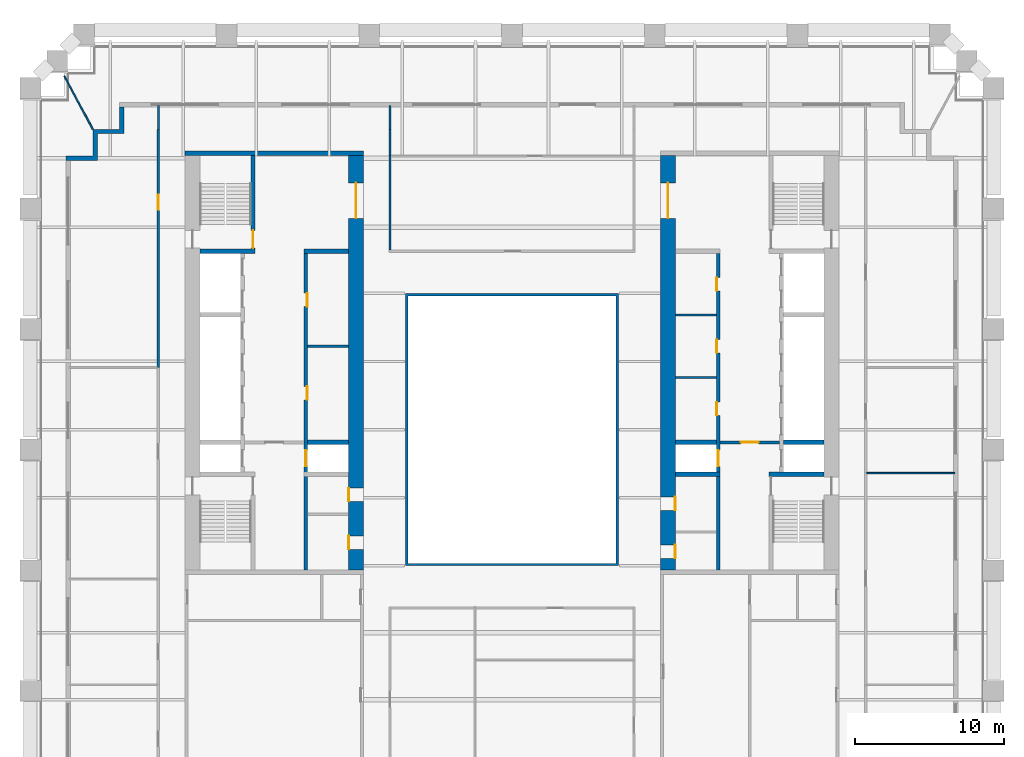
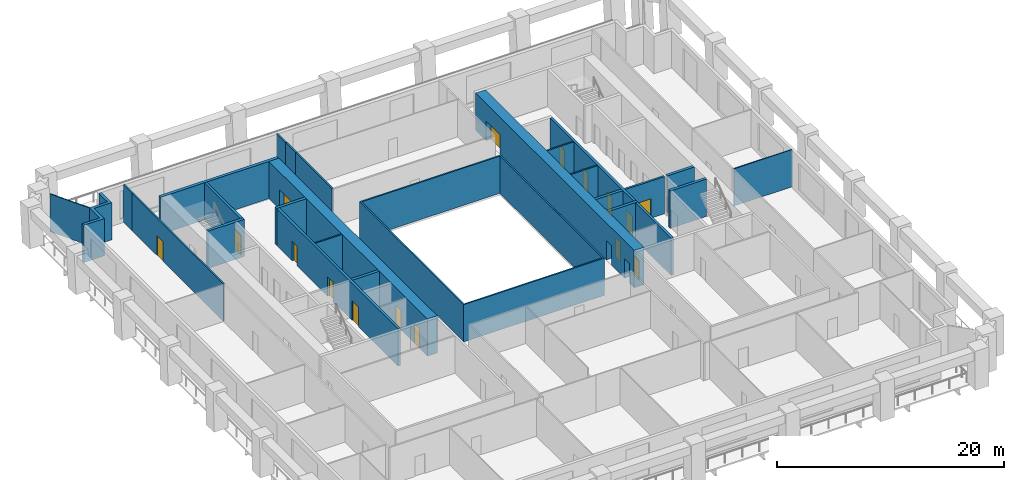
# One storey, part 6 of 9: 26 walls, 16 doors, 16 openings.
"""IFC4 building model written with IfcOpenShell, lengths in metres."""

from ifc_helpers import new_model, si_unit, direction, frame, frame_2d, origin, place, context, subcontext, project, spatial, polyline, rectangle, outline, extrude, material, layer, layer_set, type_object, element, fill, save


model = new_model("IFC4")

# Units and contexts
model_context = context("Model", 3, precision=1e-05, world=origin(), true_north=direction((0.0, 1.0)))
body_context = subcontext(model_context, "Body", "Model", "MODEL_VIEW")
ifc_project = project(units=[si_unit("LENGTHUNIT", "METRE"), si_unit("AREAUNIT", "SQUARE_METRE"), si_unit("VOLUMEUNIT", "CUBIC_METRE"), si_unit("PLANEANGLEUNIT", "RADIAN"), si_unit("MASSUNIT", "GRAM", prefix="KILO")], contexts=[model_context])

# Site, building, storey
site_placement = place(None, origin())
site = spatial("IfcSite", under=ifc_project, at=site_placement, CompositionType="ELEMENT")
building_placement = place(site_placement, origin())
building = spatial("IfcBuilding", under=site, at=building_placement, Name="Ogive Exchange Tower", CompositionType="ELEMENT")
storey_placement = place(building_placement, frame((0.0, 0.0, 56.39990234375)))
storey = spatial("IfcBuildingStorey", under=building, at=storey_placement, Name="L11", CompositionType="ELEMENT", Elevation=56.39990234375)

# Walls
ifc_material_1 = material(Name="Gypsum board partition")
ifc_layer_1 = layer(ifc_material_1, 0.14990234375)
ifc_layer_set_1 = layer_set([ifc_layer_1], Name="Core room partition 150 gypsum")
wall_type_1 = type_object("IfcWallType", Name="Core room partition 150 gypsum", PredefinedType="PARTITIONING", material=ifc_layer_set_1)
for number, where, z_axis, x_axis, name in (
    (1, (-13.75, 12.60009765625, 0.0), (0.0, 0.0, 1.0), (1.0, 0.0, 0.0), "W row B bay partition 1-1"),
    (2, (11.0, 10.5, 0.0), (0.0, 0.0, 1.0), (1.0, 0.0, 0.0), "E row B bay partition 1-1"),
    (3, (11.0, 14.699951171875, 0.0), (0.0, 0.0, 1.0), (1.0, 0.0, 0.0), "E row B bay partition 1-2"),
):
    element("IfcWall", number, at=place(storey_placement, frame(where, z_axis=z_axis, x_axis=x_axis)), inside=storey, type_object=wall_type_1, Name=name, PredefinedType="PARTITIONING", context=body_context, shape_type="SweptSolid", body=[
        extrude(rectangle(XDim=2.75, YDim=0.14990234375, at=frame_2d((1.375, 0.0))), origin(), (0.0, 0.0, 1.0), 4.0),
    ])
ifc_layer_2 = layer(ifc_material_1, 0.300048828125)
ifc_layer_set_2 = layer_set([ifc_layer_2], Name="Core room partition 300 gypsum")
wall_type_2 = type_object("IfcWallType", Name="Core room partition 300 gypsum", PredefinedType="PARTITIONING", material=ifc_layer_set_2)
wall_1_placement = place(storey_placement, frame((-14.0, 19.0, 0.0), z_axis=(0.0, 0.0, 1.0), x_axis=(1.0, 0.0, 0.0)))
element("IfcWall", 4, at=wall_1_placement, inside=storey, type_object=wall_type_2, Name="W row B room end wall 7", PredefinedType="PARTITIONING", context=body_context, shape_type="SweptSolid", body=[
    extrude(rectangle(XDim=3.0, YDim=0.300048828125, at=frame_2d((1.5, 0.0))), origin(), (0.0, 0.0, 1.0), 4.0),
])

# Wall, opening, door
ifc_material_2 = material(Name="Fire partition EI 60 150")
ifc_layer_3 = layer(ifc_material_2, 0.14990234375)
ifc_layer_set_3 = layer_set([ifc_layer_3], Name="Fire partition EI 60 150")
wall_type_3 = type_object("IfcWallType", Name="Fire partition EI 60 150", PredefinedType="PARTITIONING", material=ifc_layer_set_3)
wall_2_placement = place(storey_placement, frame((-23.800048828125, 11.169921875, 0.0), z_axis=(0.0, 0.0, 1.0), x_axis=(0.0, 1.0, 0.0)))
wall_2 = element("IfcWall", 5, at=wall_2_placement, inside=storey, type_object=wall_type_3, Name="L11-PWL-012", PredefinedType="PARTITIONING", context=body_context, shape_type="SweptSolid", body=[
    extrude(rectangle(XDim=16.030029296875, YDim=0.14990234375, at=frame_2d((8.01513671875, 0.0))), origin(), (0.0, 0.0, 1.0), 4.0),
])
opening_1_placement = place(wall_2_placement, frame((10.6298828125, 0.0, 0.0)))
opening_1 = element("IfcOpeningElement", 6, at=opening_1_placement, cuts=wall_2, Name="Opening L11-I04", PredefinedType="OPENING", context=body_context, shape_type="SweptSolid", body=[
    extrude(rectangle(XDim=1.0, YDim=2.10009765625, at=frame_2d((0.5, 1.050048828125))), frame((0.0, 0.0849609375, 0.0), z_axis=(0.0, -1.0, 0.0), x_axis=(1.0, 0.0, 0.0)), (0.0, 0.0, 1.0), 0.169921875),
])
ifc_material_3 = material(Name="Fire door FD 30S 1000 x 2100")
door_type_1 = type_object("IfcDoorType", Name="Fire door FD 30S 1000 x 2100", OperationType="NOTDEFINED", PredefinedType="DOOR", material=ifc_material_3)
door_1_placement = place(opening_1_placement, origin())
door_1 = element("IfcDoor", 7, at=door_1_placement, inside=storey, type_object=door_type_1, Name="L11-IDR-004", ObjectType="DT3", OperationType="SINGLE_SWING_LEFT", OverallHeight=2.10009765625, OverallWidth=1.0, PredefinedType="DOOR", context=body_context, shape_type="SweptSolid", body=[
    extrude(rectangle(XDim=1.0, YDim=2.10009765625, at=frame_2d((0.5, 1.050048828125))), frame((0.0, 0.02490234375, 0.0), z_axis=(0.0, -1.0, 0.0), x_axis=(1.0, 0.0, 0.0)), (0.0, 0.0, 1.0), 0.050048828125),
])
fill(opening_1, door_1)

# Walls
for number, where, z_axis, x_axis, name in (
    (8, (-23.7900390625, 27.199951171875, 0.0), (0.0, 0.0, 1.0), (0.0, 1.0, 0.0), "L11-PWL-013"),
    (9, (-8.2099609375, 28.800048828125, 0.0), (0.0, 0.0, 1.0), (0.0, -1.0, 0.0), "L11-PWL-018"),
):
    element("IfcWall", number, at=place(storey_placement, frame(where, z_axis=z_axis, x_axis=x_axis)), inside=storey, type_object=wall_type_3, Name=name, PredefinedType="PARTITIONING", context=body_context, shape_type="SweptSolid", body=[
        extrude(rectangle(XDim=1.60009765625, YDim=0.14990234375, at=frame_2d((0.800048828125, 0.0))), origin(), (0.0, 0.0, 1.0), 4.0),
    ])
wall_3_placement = place(storey_placement, frame((-8.199951171875, 25.449951171875, 0.0), z_axis=(0.0, 0.0, 1.0), x_axis=(0.0, -1.0, 0.0)))
element("IfcWall", 10, at=wall_3_placement, inside=storey, type_object=wall_type_3, Name="L11-PWL-023", PredefinedType="PARTITIONING", context=body_context, shape_type="SweptSolid", body=[
    extrude(rectangle(XDim=6.375, YDim=0.14990234375, at=frame_2d((3.1875, 0.0))), origin(), (0.0, 0.0, 1.0), 4.0),
])
wall_4_placement = place(storey_placement, frame((-8.199951171875, 27.199951171875, 0.0), z_axis=(0.0, 0.0, 1.0), x_axis=(0.0, -1.0, 0.0)))
element("IfcWall", 11, at=wall_4_placement, inside=storey, type_object=wall_type_3, Name="L11-PWL-025", PredefinedType="PARTITIONING", context=body_context, shape_type="SweptSolid", body=[
    extrude(rectangle(XDim=1.75, YDim=0.14990234375, at=frame_2d((0.875, 0.0))), origin(), (0.0, 0.0, 1.0), 4.0),
])
ifc_material_4 = material(Name="Fire-resisting glass in steel frame", Category="steel")
ifc_layer_4 = layer(ifc_material_4, 0.14990234375)
ifc_layer_set_4 = layer_set([ifc_layer_4], Name="Fire-rated glazed wall 150")
wall_type_4 = type_object("IfcWallType", Name="Fire-rated glazed wall 150", PredefinedType="STANDARD", material=ifc_layer_set_4)
wall_5_placement = place(storey_placement, origin())
element("IfcWall", 12, at=wall_5_placement, inside=storey, type_object=wall_type_4, Name="Nave enclosure wall", PredefinedType="STANDARD", context=body_context, shape_type="SweptSolid", body=[
    extrude(outline(polyline([(-7.14990234375, -2.14990234375), (7.14990234375, -2.14990234375), (7.14990234375, 16.14990234375), (-7.14990234375, 16.14990234375), (-7.14990234375, -2.14990234375)]), holes=[polyline([(-7.0, -2.0), (-7.0, 16.0), (7.0, 16.0), (7.0, -2.0), (-7.0, -2.0)])]), origin(), (0.0, 0.0, 1.0), 4.0),
])
ifc_material_5 = material(Name="Precast concrete C40/50", Category="concrete")
ifc_layer_5 = layer(ifc_material_5, 0.300048828125)
ifc_layer_set_5 = layer_set([ifc_layer_5], Name="Limestone-faced wall 300")
wall_type_5 = type_object("IfcWallType", Name="Limestone-faced wall 300", PredefinedType="STANDARD", material=ifc_layer_set_5)
wall_6_placement = place(storey_placement, origin())
element("IfcWall", 13, at=wall_6_placement, inside=storey, type_object=wall_type_5, Name="External corner wall C3", PredefinedType="STANDARD", context=body_context, shape_type="SweptSolid", body=[
    extrude(outline(polyline([(-28.199951171875, 25.39990234375), (-28.199951171875, 27.199951171875), (-26.39990234375, 27.199951171875), (-26.39990234375, 28.699951171875), (-26.10009765625, 28.699951171875), (-26.10009765625, 26.89990234375), (-27.89990234375, 26.89990234375), (-27.89990234375, 25.10009765625), (-30.0, 25.10009765625), (-30.0, 25.39990234375), (-28.199951171875, 25.39990234375)])), origin(), (0.0, 0.0, 1.0), 4.0),
])
ifc_material_6 = material(Name="Laminated safety glass in steel frame", Category="steel")
ifc_layer_6 = layer(ifc_material_6, 0.10009765625)
ifc_layer_set_6 = layer_set([ifc_layer_6], Name="Loggia end screen 100")
wall_type_6 = type_object("IfcWallType", Name="Loggia end screen 100", PredefinedType="STANDARD", material=ifc_layer_set_6)
wall_7_placement = place(storey_placement, frame((-28.199951171875, 27.199951171875, -0.0498046875), z_axis=(0.0, 0.0, 1.0), x_axis=(-0.472846131844, 0.881145013945, 0.0)))
element("IfcWall", 14, at=wall_7_placement, inside=storey, type_object=wall_type_6, Name="Loggia end screen C3", PredefinedType="STANDARD", context=body_context, shape_type="SweptSolid", body=[
    extrude(rectangle(XDim=4.06591796875, YDim=0.10009765625, at=frame_2d((2.032958984375, 0.0))), origin(), (0.0, 0.0, 1.0), 4.0498046875),
])
ifc_material_7 = material(Name="Partition 100 gypsum")
ifc_layer_7 = layer(ifc_material_7, 0.10009765625)
ifc_layer_set_7 = layer_set([ifc_layer_7], Name="Partition 100 gypsum")
wall_type_7 = type_object("IfcWallType", Name="Partition 100 gypsum", PredefinedType="PARTITIONING", material=ifc_layer_set_7)
wall_8_placement = place(storey_placement, frame((29.800048828125, 4.06005859375, 0.0), z_axis=(0.0, 0.0, 1.0), x_axis=(-1.0, 0.0, 0.0)))
element("IfcWall", 15, at=wall_8_placement, inside=storey, type_object=wall_type_7, Name="L11-PWL-057", PredefinedType="PARTITIONING", context=body_context, shape_type="SweptSolid", body=[
    extrude(rectangle(XDim=5.925048828125, YDim=0.10009765625, at=frame_2d((2.96240234375, 0.0))), origin(), (0.0, 0.0, 1.0), 4.0),
])

# Wall, openings, doors
ifc_material_8 = material(Name="Concrete C70/85", Category="concrete")
ifc_layer_8 = layer(ifc_material_8, 1.0)
ifc_layer_set_8 = layer_set([ifc_layer_8], Name="RC core wall 1000 C70/85")
wall_type_8 = type_object("IfcWallType", Name="RC core wall 1000 C70/85", PredefinedType="SHEAR", material=ifc_layer_set_8)
wall_9_placement = place(storey_placement, frame((-10.5, -2.449951171875, 0.0), z_axis=(0.0, 0.0, 1.0), x_axis=(0.0, 1.0, 0.0)))
wall_9 = element("IfcWall", 16, at=wall_9_placement, inside=storey, type_object=wall_type_8, Name="W inner wall", PredefinedType="SHEAR", context=body_context, shape_type="SweptSolid", body=[
    extrude(rectangle(XDim=27.89990234375, YDim=1.0, at=frame_2d((13.949951171875, 0.0))), origin(), (0.0, 0.0, 1.0), 4.0),
])
opening_2_placement = place(wall_9_placement, frame((23.64990234375, 0.0, 0.0)))
opening_2 = element("IfcOpeningElement", 17, at=opening_2_placement, cuts=wall_9, Name="Opening L11-C12", PredefinedType="OPENING", context=body_context, shape_type="SweptSolid", body=[
    extrude(rectangle(XDim=2.39990234375, YDim=2.10009765625, at=frame_2d((1.199951171875, 1.050048828125))), frame((0.0, 0.510009765625, 0.0), z_axis=(0.0, -1.0, 0.0), x_axis=(1.0, 0.0, 0.0)), (0.0, 0.0, 1.0), 1.02001953125),
])
opening_3_placement = place(wall_9_placement, frame((1.387451171875, 0.0, 0.0)))
opening_3 = element("IfcOpeningElement", 18, at=opening_3_placement, cuts=wall_9, Name="Opening L11-C17", PredefinedType="OPENING", context=body_context, shape_type="SweptSolid", body=[
    extrude(rectangle(XDim=0.89990234375, YDim=2.10009765625, at=frame_2d((0.449951171875, 1.050048828125))), frame((0.0, 0.510009765625, 0.0), z_axis=(0.0, -1.0, 0.0), x_axis=(1.0, 0.0, 0.0)), (0.0, 0.0, 1.0), 1.02001953125),
])
opening_4_placement = place(wall_9_placement, frame((4.612548828125, 0.0, 0.0)))
opening_4 = element("IfcOpeningElement", 19, at=opening_4_placement, cuts=wall_9, Name="Opening L11-C18", PredefinedType="OPENING", context=body_context, shape_type="SweptSolid", body=[
    extrude(rectangle(XDim=0.89990234375, YDim=2.10009765625, at=frame_2d((0.449951171875, 1.050048828125))), frame((0.0, 0.510009765625, 0.0), z_axis=(0.0, -1.0, 0.0), x_axis=(1.0, 0.0, 0.0)), (0.0, 0.0, 1.0), 1.02001953125),
])
ifc_material_9 = material(Name="Timber fire door", Category="wood")
door_type_2 = type_object("IfcDoorType", Name="Core room door FD30S 900 x 2100", OperationType="NOTDEFINED", PredefinedType="DOOR", material=ifc_material_9)
door_2_placement = place(opening_3_placement, origin())
door_2 = element("IfcDoor", 20, at=door_2_placement, inside=storey, type_object=door_type_2, Name="Core room door", ObjectType="CD6", OperationType="SINGLE_SWING_RIGHT", OverallHeight=2.10009765625, OverallWidth=0.89990234375, PredefinedType="DOOR", context=body_context, shape_type="SweptSolid", body=[
    extrude(rectangle(XDim=0.89990234375, YDim=2.10009765625, at=frame_2d((0.449951171875, 1.050048828125))), frame((0.0, 0.5, 0.0), z_axis=(0.0, -1.0, 0.0), x_axis=(1.0, 0.0, 0.0)), (0.0, 0.0, 1.0), 0.050048828125),
])
fill(opening_3, door_2)
ifc_material_10 = material(Name="Glazed steel fire door", Category="steel")
door_type_3 = type_object("IfcDoorType", Name="Lift lobby double door FD60 2400 x 2100", OperationType="DOUBLE_DOOR_SINGLE_SWING", PredefinedType="DOOR", material=ifc_material_10)
door_3_placement = place(opening_2_placement, origin())
door_3 = element("IfcDoor", 21, at=door_3_placement, inside=storey, type_object=door_type_3, Name="Lift lobby double door", ObjectType="CD4", OperationType="DOUBLE_DOOR_SINGLE_SWING", OverallHeight=2.10009765625, OverallWidth=2.39990234375, PredefinedType="DOOR", context=body_context, shape_type="SweptSolid", body=[
    extrude(rectangle(XDim=2.39990234375, YDim=2.10009765625, at=frame_2d((1.199951171875, 1.050048828125))), frame((0.0, 0.02490234375, 0.0), z_axis=(0.0, -1.0, 0.0), x_axis=(1.0, 0.0, 0.0)), (0.0, 0.0, 1.0), 0.050048828125),
])
fill(opening_2, door_3)
ifc_material_11 = material(Name="Steel fire door", Category="steel")
door_type_4 = type_object("IfcDoorType", Name="Riser door FD60 900 x 2100", OperationType="NOTDEFINED", PredefinedType="DOOR", material=ifc_material_11)
door_4_placement = place(opening_4_placement, origin())
door_4 = element("IfcDoor", 22, at=door_4_placement, inside=storey, type_object=door_type_4, Name="Riser door", ObjectType="CD2", OperationType="SINGLE_SWING_LEFT", OverallHeight=2.10009765625, OverallWidth=0.89990234375, PredefinedType="DOOR", context=body_context, shape_type="SweptSolid", body=[
    extrude(rectangle(XDim=0.89990234375, YDim=2.10009765625, at=frame_2d((0.449951171875, 1.050048828125))), frame((0.0, 0.5, 0.0), z_axis=(0.0, -1.0, 0.0), x_axis=(1.0, 0.0, 0.0)), (0.0, 0.0, 1.0), 0.050048828125),
])
fill(opening_4, door_4)

wall_10_placement = place(storey_placement, frame((10.5, -2.449951171875, 0.0), z_axis=(0.0, 0.0, 1.0), x_axis=(0.0, 1.0, 0.0)))
wall_10 = element("IfcWall", 23, at=wall_10_placement, inside=storey, type_object=wall_type_8, Name="E inner wall", PredefinedType="SHEAR", context=body_context, shape_type="SweptSolid", body=[
    extrude(rectangle(XDim=27.89990234375, YDim=1.0, at=frame_2d((13.949951171875, 0.0))), origin(), (0.0, 0.0, 1.0), 4.0),
])
opening_5_placement = place(wall_10_placement, frame((23.64990234375, 0.0, 0.0)))
opening_5 = element("IfcOpeningElement", 24, at=opening_5_placement, cuts=wall_10, Name="Opening L11-C34", PredefinedType="OPENING", context=body_context, shape_type="SweptSolid", body=[
    extrude(rectangle(XDim=2.39990234375, YDim=2.10009765625, at=frame_2d((1.199951171875, 1.050048828125))), frame((0.0, 0.510009765625, 0.0), z_axis=(0.0, -1.0, 0.0), x_axis=(1.0, 0.0, 0.0)), (0.0, 0.0, 1.0), 1.02001953125),
])
opening_6_placement = place(wall_10_placement, frame((0.78759765625, 0.0, 0.0)))
opening_6 = element("IfcOpeningElement", 25, at=opening_6_placement, cuts=wall_10, Name="Opening L11-C39", PredefinedType="OPENING", context=body_context, shape_type="SweptSolid", body=[
    extrude(rectangle(XDim=0.89990234375, YDim=2.10009765625, at=frame_2d((0.449951171875, 1.050048828125))), frame((0.0, 0.510009765625, 0.0), z_axis=(0.0, -1.0, 0.0), x_axis=(1.0, 0.0, 0.0)), (0.0, 0.0, 1.0), 1.02001953125),
])
opening_7_placement = place(wall_10_placement, frame((4.012451171875, 0.0, 0.0)))
opening_7 = element("IfcOpeningElement", 26, at=opening_7_placement, cuts=wall_10, Name="Opening L11-C40", PredefinedType="OPENING", context=body_context, shape_type="SweptSolid", body=[
    extrude(rectangle(XDim=0.89990234375, YDim=2.10009765625, at=frame_2d((0.449951171875, 1.050048828125))), frame((0.0, 0.510009765625, 0.0), z_axis=(0.0, -1.0, 0.0), x_axis=(1.0, 0.0, 0.0)), (0.0, 0.0, 1.0), 1.02001953125),
])
door_5_placement = place(opening_6_placement, frame((0.89990234375, -0.9501953125, 0.0), z_axis=(0.0, 0.0, 1.0), x_axis=(-1.0, 0.0, 0.0)))
door_5 = element("IfcDoor", 27, at=door_5_placement, inside=storey, type_object=door_type_2, Name="Core room door", ObjectType="CD6", OperationType="SINGLE_SWING_RIGHT", OverallHeight=2.10009765625, OverallWidth=0.89990234375, PredefinedType="DOOR", context=body_context, shape_type="SweptSolid", body=[
    extrude(rectangle(XDim=0.89990234375, YDim=2.10009765625, at=frame_2d((0.449951171875, 1.050048828125))), frame((0.0, -0.4501953125, 0.0), z_axis=(0.0, -1.0, 0.0), x_axis=(1.0, 0.0, 0.0)), (0.0, 0.0, 1.0), 0.050048828125),
])
fill(opening_6, door_5)
door_6_placement = place(opening_5_placement, frame((2.39990234375, 0.0, 0.0), z_axis=(0.0, 0.0, 1.0), x_axis=(-1.0, 0.0, 0.0)))
door_6 = element("IfcDoor", 28, at=door_6_placement, inside=storey, type_object=door_type_3, Name="Lift lobby double door", ObjectType="CD4", OperationType="DOUBLE_DOOR_SINGLE_SWING", OverallHeight=2.10009765625, OverallWidth=2.39990234375, PredefinedType="DOOR", context=body_context, shape_type="SweptSolid", body=[
    extrude(rectangle(XDim=2.39990234375, YDim=2.10009765625, at=frame_2d((1.199951171875, 1.050048828125))), frame((0.0, 0.02490234375, 0.0), z_axis=(0.0, -1.0, 0.0), x_axis=(1.0, 0.0, 0.0)), (0.0, 0.0, 1.0), 0.050048828125),
])
fill(opening_5, door_6)
door_7_placement = place(opening_7_placement, frame((0.89990234375, -0.9501953125, 0.0), z_axis=(0.0, 0.0, 1.0), x_axis=(-1.0, 0.0, 0.0)))
door_7 = element("IfcDoor", 29, at=door_7_placement, inside=storey, type_object=door_type_4, Name="Riser door", ObjectType="CD2", OperationType="SINGLE_SWING_LEFT", OverallHeight=2.10009765625, OverallWidth=0.89990234375, PredefinedType="DOOR", context=body_context, shape_type="SweptSolid", body=[
    extrude(rectangle(XDim=0.89990234375, YDim=2.10009765625, at=frame_2d((0.449951171875, 1.050048828125))), frame((0.0, -0.4501953125, 0.0), z_axis=(0.0, -1.0, 0.0), x_axis=(1.0, 0.0, 0.0)), (0.0, 0.0, 1.0), 0.050048828125),
])
fill(opening_7, door_7)

# Wall, opening, door
ifc_layer_9 = layer(ifc_material_8, 0.199951171875)
ifc_layer_set_9 = layer_set([ifc_layer_9], Name="RC core wall 200 C70/85")
wall_type_9 = type_object("IfcWallType", Name="RC core wall 200 C70/85", PredefinedType="SHEAR", material=ifc_layer_set_9)
wall_11_placement = place(storey_placement, frame((14.0, 6.142822265625, 0.0), z_axis=(0.0, 0.0, 1.0), x_axis=(1.0, 0.0, 0.0)))
wall_11 = element("IfcWall", 30, at=wall_11_placement, inside=storey, type_object=wall_type_9, Name="E firefighting lobby wall", PredefinedType="SHEAR", context=body_context, shape_type="SweptSolid", body=[
    extrude(rectangle(XDim=4.0, YDim=0.199951171875, at=frame_2d((2.0, 0.0))), origin(), (0.0, 0.0, 1.0), 4.0),
])
opening_8_placement = place(wall_11_placement, frame((1.39990234375, 0.0, 0.0)))
opening_8 = element("IfcOpeningElement", 31, at=opening_8_placement, cuts=wall_11, Name="Opening L11-C33", PredefinedType="OPENING", context=body_context, shape_type="SweptSolid", body=[
    extrude(rectangle(XDim=1.199951171875, YDim=2.10009765625, at=frame_2d((0.60009765625, 1.050048828125))), frame((0.0, 0.10986328125, 0.0), z_axis=(0.0, -1.0, 0.0), x_axis=(1.0, 0.0, 0.0)), (0.0, 0.0, 1.0), 0.219970703125),
])
door_type_5 = type_object("IfcDoorType", Name="Firefighting lobby door FD60 1200 x 2100", OperationType="NOTDEFINED", PredefinedType="DOOR", material=ifc_material_11)
door_8_placement = place(opening_8_placement, frame((1.199951171875, 0.0, 0.0), z_axis=(0.0, 0.0, 1.0), x_axis=(-1.0, 0.0, 0.0)))
door_8 = element("IfcDoor", 32, at=door_8_placement, inside=storey, type_object=door_type_5, Name="Firefighting lobby door", ObjectType="CD3", OperationType="SINGLE_SWING_RIGHT", OverallHeight=2.10009765625, OverallWidth=1.199951171875, PredefinedType="DOOR", context=body_context, shape_type="SweptSolid", body=[
    extrude(rectangle(XDim=1.199951171875, YDim=2.10009765625, at=frame_2d((0.60009765625, 1.050048828125))), frame((0.0, 0.02490234375, 0.0), z_axis=(0.0, -1.0, 0.0), x_axis=(1.0, 0.0, 0.0)), (0.0, 0.0, 1.0), 0.050048828125),
])
fill(opening_8, door_8)

ifc_layer_10 = layer(ifc_material_8, 0.25)
ifc_layer_set_10 = layer_set([ifc_layer_10], Name="RC core wall 250 C70/85")
wall_type_10 = type_object("IfcWallType", Name="RC core wall 250 C70/85", PredefinedType="SHEAR", material=ifc_layer_set_10)
wall_12_placement = place(storey_placement, frame((-17.425048828125, 19.14990234375, 0.0), z_axis=(0.0, 0.0, 1.0), x_axis=(0.0, 1.0, 0.0)))
wall_12 = element("IfcWall", 33, at=wall_12_placement, inside=storey, type_object=wall_type_10, Name="W stair N front wall", PredefinedType="SHEAR", context=body_context, shape_type="SweptSolid", body=[
    extrude(rectangle(XDim=6.300048828125, YDim=0.25, at=frame_2d((3.14990234375, 0.0))), origin(), (0.0, 0.0, 1.0), 4.0),
])
opening_9_placement = place(wall_12_placement, frame((0.050048828125, 0.0, 0.0)))
opening_9 = element("IfcOpeningElement", 34, at=opening_9_placement, cuts=wall_12, Name="Opening L11-C15", PredefinedType="OPENING", context=body_context, shape_type="SweptSolid", body=[
    extrude(rectangle(XDim=1.199951171875, YDim=2.10009765625, at=frame_2d((0.60009765625, 1.050048828125))), frame((0.0, 0.135009765625, 0.0), z_axis=(0.0, -1.0, 0.0), x_axis=(1.0, 0.0, 0.0)), (0.0, 0.0, 1.0), 0.27001953125),
])
door_type_6 = type_object("IfcDoorType", Name="Stair door FD90 1200 x 2100", OperationType="NOTDEFINED", PredefinedType="DOOR", material=ifc_material_11)
door_9_placement = place(opening_9_placement, origin())
door_9 = element("IfcDoor", 35, at=door_9_placement, inside=storey, type_object=door_type_6, Name="Stair door", ObjectType="CD5", OperationType="SINGLE_SWING_RIGHT", OverallHeight=2.10009765625, OverallWidth=1.199951171875, PredefinedType="DOOR", context=body_context, shape_type="SweptSolid", body=[
    extrude(rectangle(XDim=1.199951171875, YDim=2.10009765625, at=frame_2d((0.60009765625, 1.050048828125))), frame((0.0, 0.02490234375, 0.0), z_axis=(0.0, -1.0, 0.0), x_axis=(1.0, 0.0, 0.0)), (0.0, 0.0, 1.0), 0.050048828125),
])
fill(opening_9, door_9)

# Wall, openings, doors
wall_13_placement = place(storey_placement, frame((-13.875, -2.449951171875, 0.0), z_axis=(0.0, 0.0, 1.0), x_axis=(0.0, 1.0, 0.0)))
wall_13 = element("IfcWall", 36, at=wall_13_placement, inside=storey, type_object=wall_type_10, Name="W row B front wall", PredefinedType="SHEAR", context=body_context, shape_type="SweptSolid", body=[
    extrude(rectangle(XDim=21.300048828125, YDim=0.25, at=frame_2d((10.64990234375, 0.0))), origin(), (0.0, 0.0, 1.0), 4.0),
])
opening_10_placement = place(wall_13_placement, frame((11.4462890625, 0.0, 0.0)))
opening_10 = element("IfcOpeningElement", 37, at=opening_10_placement, cuts=wall_13, Name="Opening L11-C08", PredefinedType="OPENING", context=body_context, shape_type="SweptSolid", body=[
    extrude(rectangle(XDim=0.89990234375, YDim=2.10009765625, at=frame_2d((0.449951171875, 1.050048828125))), frame((0.0, 0.135009765625, 0.0), z_axis=(0.0, -1.0, 0.0), x_axis=(1.0, 0.0, 0.0)), (0.0, 0.0, 1.0), 0.27001953125),
])
opening_11_placement = place(wall_13_placement, frame((17.72509765625, 0.0, 0.0)))
opening_11 = element("IfcOpeningElement", 38, at=opening_11_placement, cuts=wall_13, Name="Opening L11-C09", PredefinedType="OPENING", context=body_context, shape_type="SweptSolid", body=[
    extrude(rectangle(XDim=0.89990234375, YDim=2.10009765625, at=frame_2d((0.449951171875, 1.050048828125))), frame((0.0, 0.135009765625, 0.0), z_axis=(0.0, -1.0, 0.0), x_axis=(1.0, 0.0, 0.0)), (0.0, 0.0, 1.0), 0.27001953125),
])
opening_12_placement = place(wall_13_placement, frame((6.971435546875, 0.0, 0.0)))
opening_12 = element("IfcOpeningElement", 39, at=opening_12_placement, cuts=wall_13, Name="Opening L11-C10", PredefinedType="OPENING", context=body_context, shape_type="SweptSolid", body=[
    extrude(rectangle(XDim=1.10009765625, YDim=2.10009765625, at=frame_2d((0.550048828125, 1.050048828125))), frame((0.0, 0.135009765625, 0.0), z_axis=(0.0, -1.0, 0.0), x_axis=(1.0, 0.0, 0.0)), (0.0, 0.0, 1.0), 0.27001953125),
])
ifc_material_12 = material(Name="Stainless steel", Category="steel")
door_type_7 = type_object("IfcDoorType", Name="Lift landing door FD90 1100 x 2100", OperationType="SLIDING_TO_LEFT", PredefinedType="DOOR", material=ifc_material_12)
door_10_placement = place(opening_12_placement, origin())
door_10 = element("IfcDoor", 40, at=door_10_placement, inside=storey, type_object=door_type_7, Name="Lift landing door SV1", ObjectType="LD", OperationType="SLIDING_TO_LEFT", OverallHeight=2.10009765625, OverallWidth=1.10009765625, PredefinedType="DOOR", context=body_context, shape_type="SweptSolid", body=[
    extrude(rectangle(XDim=1.10009765625, YDim=2.10009765625, at=frame_2d((0.550048828125, 1.050048828125))), frame((0.0, 0.02490234375, 0.0), z_axis=(0.0, -1.0, 0.0), x_axis=(1.0, 0.0, 0.0)), (0.0, 0.0, 1.0), 0.050048828125),
])
fill(opening_12, door_10)
door_11_placement = place(opening_10_placement, frame((0.89990234375, -0.2001953125, 0.0), z_axis=(0.0, 0.0, 1.0), x_axis=(-1.0, 0.0, 0.0)))
door_11 = element("IfcDoor", 41, at=door_11_placement, inside=storey, type_object=door_type_4, Name="Riser door", ObjectType="CD2", OperationType="SINGLE_SWING_LEFT", OverallHeight=2.10009765625, OverallWidth=0.89990234375, PredefinedType="DOOR", context=body_context, shape_type="SweptSolid", body=[
    extrude(rectangle(XDim=0.89990234375, YDim=2.10009765625, at=frame_2d((0.449951171875, 1.050048828125))), frame((0.0, -0.0751953125, 0.0), z_axis=(0.0, -1.0, 0.0), x_axis=(1.0, 0.0, 0.0)), (0.0, 0.0, 1.0), 0.050048828125),
])
fill(opening_10, door_11)
door_12_placement = place(opening_11_placement, frame((0.89990234375, -0.2001953125, 0.0), z_axis=(0.0, 0.0, 1.0), x_axis=(-1.0, 0.0, 0.0)))
door_12 = element("IfcDoor", 42, at=door_12_placement, inside=storey, type_object=door_type_4, Name="Riser door", ObjectType="CD2", OperationType="SINGLE_SWING_LEFT", OverallHeight=2.10009765625, OverallWidth=0.89990234375, PredefinedType="DOOR", context=body_context, shape_type="SweptSolid", body=[
    extrude(rectangle(XDim=0.89990234375, YDim=2.10009765625, at=frame_2d((0.449951171875, 1.050048828125))), frame((0.0, -0.0751953125, 0.0), z_axis=(0.0, -1.0, 0.0), x_axis=(1.0, 0.0, 0.0)), (0.0, 0.0, 1.0), 0.050048828125),
])
fill(opening_11, door_12)

wall_14_placement = place(storey_placement, frame((13.875, -2.449951171875, 0.0), z_axis=(0.0, 0.0, 1.0), x_axis=(0.0, 1.0, 0.0)))
wall_14 = element("IfcWall", 43, at=wall_14_placement, inside=storey, type_object=wall_type_10, Name="E row B front wall", PredefinedType="SHEAR", context=body_context, shape_type="SweptSolid", body=[
    extrude(rectangle(XDim=21.300048828125, YDim=0.25, at=frame_2d((10.64990234375, 0.0))), origin(), (0.0, 0.0, 1.0), 4.0),
])
opening_13_placement = place(wall_14_placement, frame((10.396484375, 0.0, 0.0)))
opening_13 = element("IfcOpeningElement", 44, at=opening_13_placement, cuts=wall_14, Name="Opening L11-C29", PredefinedType="OPENING", context=body_context, shape_type="SweptSolid", body=[
    extrude(rectangle(XDim=0.89990234375, YDim=2.10009765625, at=frame_2d((0.449951171875, 1.050048828125))), frame((0.0, 0.135009765625, 0.0), z_axis=(0.0, -1.0, 0.0), x_axis=(1.0, 0.0, 0.0)), (0.0, 0.0, 1.0), 0.27001953125),
])
opening_14_placement = place(wall_14_placement, frame((14.60009765625, 0.0, 0.0)))
opening_14 = element("IfcOpeningElement", 45, at=opening_14_placement, cuts=wall_14, Name="Opening L11-C30", PredefinedType="OPENING", context=body_context, shape_type="SweptSolid", body=[
    extrude(rectangle(XDim=0.89990234375, YDim=2.10009765625, at=frame_2d((0.449951171875, 1.050048828125))), frame((0.0, 0.135009765625, 0.0), z_axis=(0.0, -1.0, 0.0), x_axis=(1.0, 0.0, 0.0)), (0.0, 0.0, 1.0), 0.27001953125),
])
opening_15_placement = place(wall_14_placement, frame((18.77490234375, 0.0, 0.0)))
opening_15 = element("IfcOpeningElement", 46, at=opening_15_placement, cuts=wall_14, Name="Opening L11-C31", PredefinedType="OPENING", context=body_context, shape_type="SweptSolid", body=[
    extrude(rectangle(XDim=0.89990234375, YDim=2.10009765625, at=frame_2d((0.449951171875, 1.050048828125))), frame((0.0, 0.135009765625, 0.0), z_axis=(0.0, -1.0, 0.0), x_axis=(1.0, 0.0, 0.0)), (0.0, 0.0, 1.0), 0.27001953125),
])
opening_16_placement = place(wall_14_placement, frame((6.971435546875, 0.0, 0.0)))
opening_16 = element("IfcOpeningElement", 47, at=opening_16_placement, cuts=wall_14, Name="Opening L11-C32", PredefinedType="OPENING", context=body_context, shape_type="SweptSolid", body=[
    extrude(rectangle(XDim=1.10009765625, YDim=2.10009765625, at=frame_2d((0.550048828125, 1.050048828125))), frame((0.0, 0.135009765625, 0.0), z_axis=(0.0, -1.0, 0.0), x_axis=(1.0, 0.0, 0.0)), (0.0, 0.0, 1.0), 0.27001953125),
])
door_13_placement = place(opening_16_placement, origin())
door_13 = element("IfcDoor", 48, at=door_13_placement, inside=storey, type_object=door_type_7, Name="Lift landing door SV2", ObjectType="LD", OperationType="SLIDING_TO_LEFT", OverallHeight=2.10009765625, OverallWidth=1.10009765625, PredefinedType="DOOR", context=body_context, shape_type="SweptSolid", body=[
    extrude(rectangle(XDim=1.10009765625, YDim=2.10009765625, at=frame_2d((0.550048828125, 1.050048828125))), frame((0.0, 0.02490234375, 0.0), z_axis=(0.0, -1.0, 0.0), x_axis=(1.0, 0.0, 0.0)), (0.0, 0.0, 1.0), 0.050048828125),
])
fill(opening_16, door_13)
door_14_placement = place(opening_13_placement, origin())
door_14 = element("IfcDoor", 49, at=door_14_placement, inside=storey, type_object=door_type_4, Name="Riser door", ObjectType="CD2", OperationType="SINGLE_SWING_RIGHT", OverallHeight=2.10009765625, OverallWidth=0.89990234375, PredefinedType="DOOR", context=body_context, shape_type="SweptSolid", body=[
    extrude(rectangle(XDim=0.89990234375, YDim=2.10009765625, at=frame_2d((0.449951171875, 1.050048828125))), frame((0.0, 0.125, 0.0), z_axis=(0.0, -1.0, 0.0), x_axis=(1.0, 0.0, 0.0)), (0.0, 0.0, 1.0), 0.050048828125),
])
fill(opening_13, door_14)
door_15_placement = place(opening_14_placement, origin())
door_15 = element("IfcDoor", 50, at=door_15_placement, inside=storey, type_object=door_type_4, Name="Riser door", ObjectType="CD2", OperationType="SINGLE_SWING_LEFT", OverallHeight=2.10009765625, OverallWidth=0.89990234375, PredefinedType="DOOR", context=body_context, shape_type="SweptSolid", body=[
    extrude(rectangle(XDim=0.89990234375, YDim=2.10009765625, at=frame_2d((0.449951171875, 1.050048828125))), frame((0.0, 0.125, 0.0), z_axis=(0.0, -1.0, 0.0), x_axis=(1.0, 0.0, 0.0)), (0.0, 0.0, 1.0), 0.050048828125),
])
fill(opening_14, door_15)
door_16_placement = place(opening_15_placement, origin())
door_16 = element("IfcDoor", 51, at=door_16_placement, inside=storey, type_object=door_type_4, Name="Riser door", ObjectType="CD2", OperationType="SINGLE_SWING_LEFT", OverallHeight=2.10009765625, OverallWidth=0.89990234375, PredefinedType="DOOR", context=body_context, shape_type="SweptSolid", body=[
    extrude(rectangle(XDim=0.89990234375, YDim=2.10009765625, at=frame_2d((0.449951171875, 1.050048828125))), frame((0.0, 0.125, 0.0), z_axis=(0.0, -1.0, 0.0), x_axis=(1.0, 0.0, 0.0)), (0.0, 0.0, 1.0), 0.050048828125),
])
fill(opening_15, door_16)

# Walls
ifc_layer_11 = layer(ifc_material_8, 0.300048828125)
ifc_layer_set_11 = layer_set([ifc_layer_11], Name="RC core wall 300 C70/85")
wall_type_11 = type_object("IfcWallType", Name="RC core wall 300 C70/85", PredefinedType="SHEAR", material=ifc_layer_set_11)
wall_15_placement = place(storey_placement, frame((-22.0, 25.60009765625, 0.0), z_axis=(0.0, 0.0, 1.0), x_axis=(1.0, 0.0, 0.0)))
element("IfcWall", 52, at=wall_15_placement, inside=storey, type_object=wall_type_11, Name="W north end wall", PredefinedType="SHEAR", context=body_context, shape_type="SweptSolid", body=[
    extrude(rectangle(XDim=12.0, YDim=0.300048828125, at=frame_2d((6.0, 0.0))), origin(), (0.0, 0.0, 1.0), 4.0),
])
wall_16_placement = place(storey_placement, frame((-21.0, 19.0, 0.0), z_axis=(0.0, 0.0, 1.0), x_axis=(1.0, 0.0, 0.0)))
element("IfcWall", 53, at=wall_16_placement, inside=storey, type_object=wall_type_11, Name="W stair N south wall", PredefinedType="SHEAR", context=body_context, shape_type="SweptSolid", body=[
    extrude(rectangle(XDim=3.699951171875, YDim=0.300048828125, at=frame_2d((1.85009765625, 0.0))), origin(), (0.0, 0.0, 1.0), 4.0),
])
wall_17_placement = place(storey_placement, frame((-13.75, 6.142822265625, 0.0), z_axis=(0.0, 0.0, 1.0), x_axis=(1.0, 0.0, 0.0)))
element("IfcWall", 54, at=wall_17_placement, inside=storey, type_object=wall_type_11, Name="W row B divider 1", PredefinedType="SHEAR", context=body_context, shape_type="SweptSolid", body=[
    extrude(rectangle(XDim=2.75, YDim=0.300048828125, at=frame_2d((1.375, 0.0))), origin(), (0.0, 0.0, 1.0), 4.0),
])
wall_18_placement = place(storey_placement, frame((17.300048828125, 4.0, 0.0), z_axis=(0.0, 0.0, 1.0), x_axis=(1.0, 0.0, 0.0)))
element("IfcWall", 55, at=wall_18_placement, inside=storey, type_object=wall_type_11, Name="E stair S north wall", PredefinedType="SHEAR", context=body_context, shape_type="SweptSolid", body=[
    extrude(rectangle(XDim=3.699951171875, YDim=0.300048828125, at=frame_2d((1.85009765625, 0.0))), origin(), (0.0, 0.0, 1.0), 4.0),
])
wall_19_placement = place(storey_placement, frame((18.25, 6.142822265625, 0.0), z_axis=(0.0, 0.0, 1.0), x_axis=(1.0, 0.0, 0.0)))
element("IfcWall", 56, at=wall_19_placement, inside=storey, type_object=wall_type_11, Name="E row A divider 1", PredefinedType="SHEAR", context=body_context, shape_type="SweptSolid", body=[
    extrude(rectangle(XDim=2.75, YDim=0.300048828125, at=frame_2d((1.375, 0.0))), origin(), (0.0, 0.0, 1.0), 4.0),
])
wall_20_placement = place(storey_placement, frame((11.0, 4.0, 0.0), z_axis=(0.0, 0.0, 1.0), x_axis=(1.0, 0.0, 0.0)))
element("IfcWall", 57, at=wall_20_placement, inside=storey, type_object=wall_type_11, Name="E row B divider 0", PredefinedType="SHEAR", context=body_context, shape_type="SweptSolid", body=[
    extrude(rectangle(XDim=3.0, YDim=0.300048828125, at=frame_2d((1.5, 0.0))), origin(), (0.0, 0.0, 1.0), 4.0),
])
wall_21_placement = place(storey_placement, frame((11.0, 6.142822265625, 0.0), z_axis=(0.0, 0.0, 1.0), x_axis=(1.0, 0.0, 0.0)))
element("IfcWall", 58, at=wall_21_placement, inside=storey, type_object=wall_type_11, Name="E row B divider 1", PredefinedType="SHEAR", context=body_context, shape_type="SweptSolid", body=[
    extrude(rectangle(XDim=2.75, YDim=0.300048828125, at=frame_2d((1.375, 0.0))), origin(), (0.0, 0.0, 1.0), 4.0),
])

save(model, "model.ifc")
